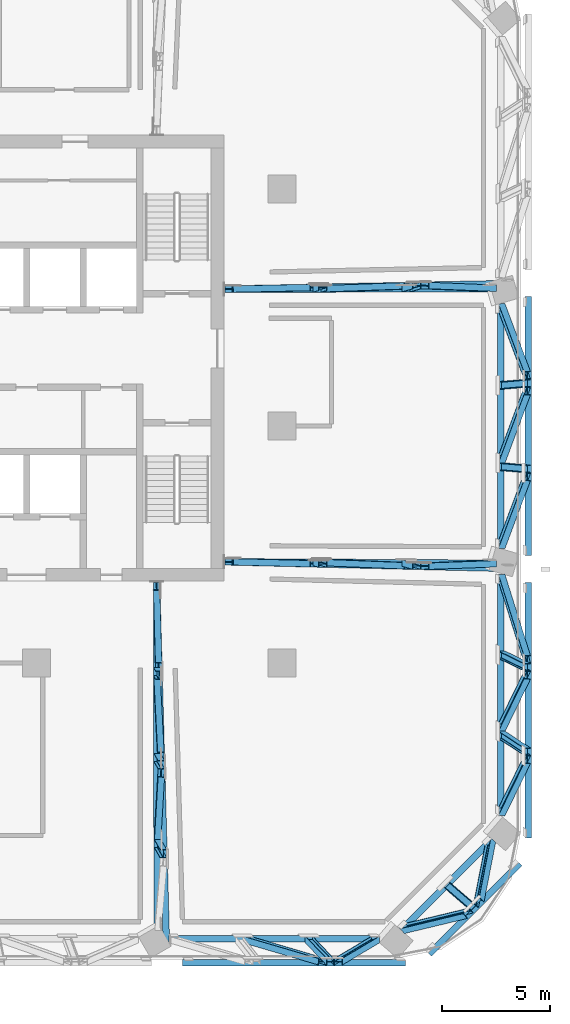
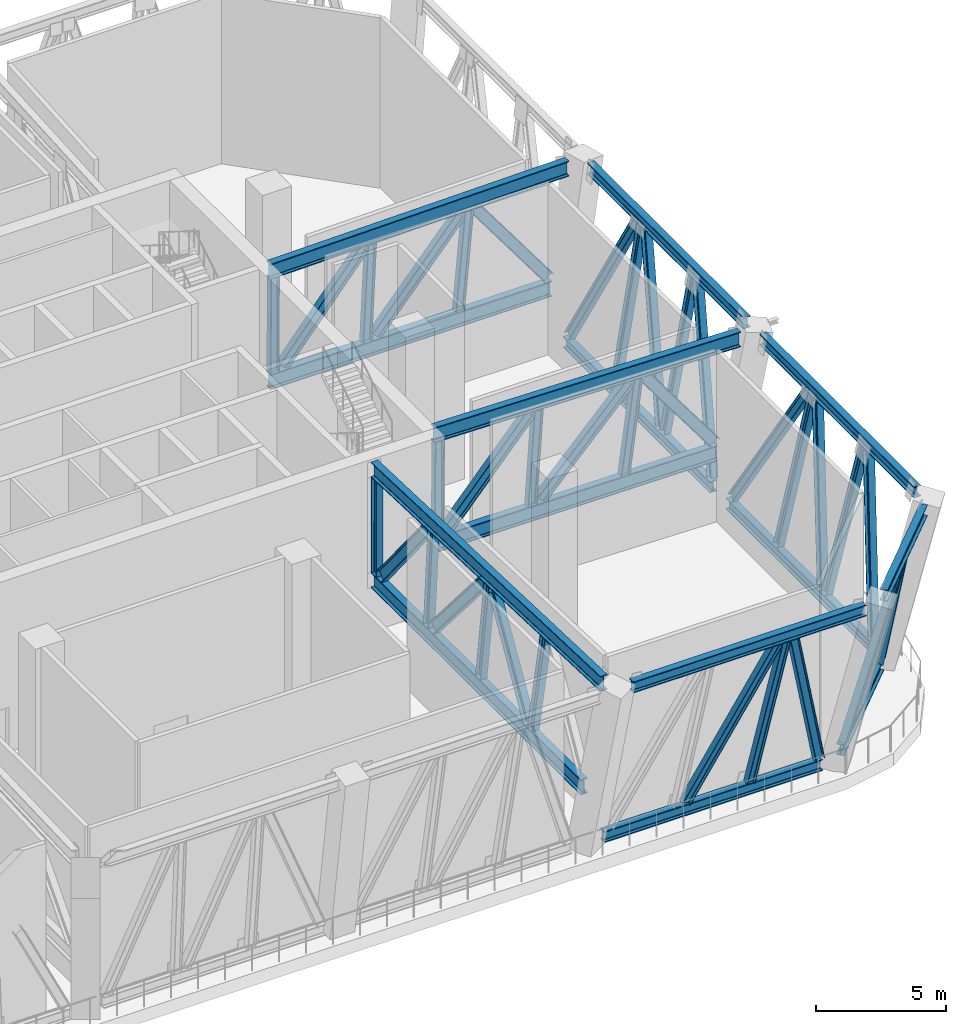
# One storey, part 3 of 24: 49 members.
"""IFC4 building model written with IfcOpenShell, lengths in metres."""

from ifc_helpers import new_model, si_unit, direction, frame, origin, origin_2d, place, context, subcontext, project, spatial, i_section, extrude, material, material_profile, profile_set, type_object, element, save


model = new_model("IFC4")

# Units and contexts
model_context = context("Model", 3, precision=1e-05, world=origin(), true_north=direction((0.0, 1.0)))
body_context = subcontext(model_context, "Body", "Model", "MODEL_VIEW")
ifc_project = project(units=[si_unit("LENGTHUNIT", "METRE"), si_unit("AREAUNIT", "SQUARE_METRE"), si_unit("VOLUMEUNIT", "CUBIC_METRE"), si_unit("PLANEANGLEUNIT", "RADIAN"), si_unit("MASSUNIT", "GRAM", prefix="KILO")], contexts=[model_context])

# Site, building, storey
site_placement = place(None, origin())
site = spatial("IfcSite", under=ifc_project, at=site_placement, CompositionType="ELEMENT")
building_placement = place(site_placement, origin())
building = spatial("IfcBuilding", under=site, at=building_placement, Name="Mopane Tessera Tower", CompositionType="ELEMENT")
storey_placement = place(building_placement, frame((0.0, 0.0, 259.0)))
storey = spatial("IfcBuildingStorey", under=building, at=storey_placement, Name="L56", CompositionType="ELEMENT", Elevation=259.0)

# Members
ifc_material_1 = material(Name="Structural steel S460", Category="steel")
ifc_material_profile_1 = material_profile(ifc_material_1, i_section(OverallWidth=0.305908203125, OverallDepth=0.52392578125, WebThickness=0.02099609375, FlangeThickness=0.0400390625, FilletRadius=0.027099609375, at=origin_2d()))
ifc_profile_set_1 = profile_set([ifc_material_profile_1], Name="Structural steel S460")
member_type_1 = type_object("IfcMemberType", Name="Belt truss chord HE 500 M", PredefinedType="CHORD", material=ifc_profile_set_1)
member_1_placement = place(storey_placement, frame((11.8466796875, -23.7890625, 0.261962890625), z_axis=(1.0, 0.0, 0.0), x_axis=(0.0, 1.0, 0.0)))
element("IfcMember", 1, at=member_1_placement, inside=storey, type_object=member_type_1, Name="Belt truss bottom chord L56 S3-S4", PredefinedType="CHORD", context=body_context, shape_type="SweptSolid", body=[
    extrude(i_section(OverallWidth=0.305908203125, OverallDepth=0.52392578125, WebThickness=0.02099609375, FlangeThickness=0.0400390625, FilletRadius=0.027099609375, at=origin_2d()), origin(), (0.0, 0.0, 1.0), 9.70751953125),
])
member_2_placement = place(storey_placement, frame((12.49169921875, -24.9013671875, 7.738037109375), z_axis=(1.0, 0.0, 0.0), x_axis=(0.0, 1.0, 0.0)))
element("IfcMember", 2, at=member_2_placement, inside=storey, type_object=member_type_1, Name="Belt truss top chord L56 S3-S4", PredefinedType="CHORD", context=body_context, shape_type="SweptSolid", body=[
    extrude(i_section(OverallWidth=0.305908203125, OverallDepth=0.52392578125, WebThickness=0.02099609375, FlangeThickness=0.0400390625, FilletRadius=0.027099609375, at=origin_2d()), origin(), (0.0, 0.0, 1.0), 10.352783203125),
])
member_3_placement = place(storey_placement, frame((22.642822265625, -23.391357421875, 0.261962890625), z_axis=(0.707106781187, 0.707106781187, 0.0), x_axis=(-0.707106781187, 0.707106781187, 0.0)))
element("IfcMember", 3, at=member_3_placement, inside=storey, type_object=member_type_1, Name="Belt truss bottom chord L56 S4-E0", PredefinedType="CHORD", context=body_context, shape_type="SweptSolid", body=[
    extrude(i_section(OverallWidth=0.305908203125, OverallDepth=0.52392578125, WebThickness=0.02099609375, FlangeThickness=0.0400390625, FilletRadius=0.027099609375, at=origin_2d()), origin(), (0.0, 0.0, 1.0), 5.946533203125),
])
member_4_placement = place(storey_placement, frame((23.933349609375, -24.50390625, 7.738037109375), z_axis=(0.707086252313, 0.707127309464, 0.0), x_axis=(-0.707127309464, 0.707086252313, 0.0)))
element("IfcMember", 4, at=member_4_placement, inside=storey, type_object=member_type_1, Name="Belt truss top chord L56 S4-E0", PredefinedType="CHORD", context=body_context, shape_type="SweptSolid", body=[
    extrude(i_section(OverallWidth=0.305908203125, OverallDepth=0.52392578125, WebThickness=0.02099609375, FlangeThickness=0.0400390625, FilletRadius=0.027099609375, at=origin_2d()), origin(), (0.0, 0.0, 1.0), 5.9462890625),
])
member_5_placement = place(storey_placement, frame((27.2451171875, -18.011962890625, 0.261962890625), z_axis=(0.0, 1.0, 0.0), x_axis=(-1.0, 0.0, 0.0)))
element("IfcMember", 5, at=member_5_placement, inside=storey, type_object=member_type_1, Name="Belt truss bottom chord L56 E0-E1", PredefinedType="CHORD", context=body_context, shape_type="SweptSolid", body=[
    extrude(i_section(OverallWidth=0.305908203125, OverallDepth=0.52392578125, WebThickness=0.02099609375, FlangeThickness=0.0400390625, FilletRadius=0.027099609375, at=origin_2d()), origin(), (0.0, 0.0, 1.0), 11.13330078125),
])
member_6_placement = place(storey_placement, frame((28.53564453125, -19.124267578125, 7.738037109375), z_axis=(0.0, 1.0, 0.0), x_axis=(-1.0, 0.0, 0.0)))
element("IfcMember", 6, at=member_6_placement, inside=storey, type_object=member_type_1, Name="Belt truss top chord L56 E0-E1", PredefinedType="CHORD", context=body_context, shape_type="SweptSolid", body=[
    extrude(i_section(OverallWidth=0.305908203125, OverallDepth=0.52392578125, WebThickness=0.02099609375, FlangeThickness=0.0400390625, FilletRadius=0.027099609375, at=origin_2d()), origin(), (0.0, 0.0, 1.0), 11.874755859375),
])
member_7_placement = place(storey_placement, frame((27.2451171875, -5.647216796875, 0.261962890625), z_axis=(0.0, 1.0, 0.0), x_axis=(-1.0, 0.0, 0.0)))
element("IfcMember", 7, at=member_7_placement, inside=storey, type_object=member_type_1, Name="Belt truss bottom chord L56 E1-E2", PredefinedType="CHORD", context=body_context, shape_type="SweptSolid", body=[
    extrude(i_section(OverallWidth=0.305908203125, OverallDepth=0.52392578125, WebThickness=0.02099609375, FlangeThickness=0.0400390625, FilletRadius=0.027099609375, at=origin_2d()), origin(), (0.0, 0.0, 1.0), 11.29443359375),
])
member_8_placement = place(storey_placement, frame((28.53564453125, -6.01806640625, 7.738037109375), z_axis=(0.0, 1.0, 0.0), x_axis=(-1.0, 0.0, 0.0)))
element("IfcMember", 8, at=member_8_placement, inside=storey, type_object=member_type_1, Name="Belt truss top chord L56 E1-E2", PredefinedType="CHORD", context=body_context, shape_type="SweptSolid", body=[
    extrude(i_section(OverallWidth=0.305908203125, OverallDepth=0.52392578125, WebThickness=0.02099609375, FlangeThickness=0.0400390625, FilletRadius=0.027099609375, at=origin_2d()), origin(), (0.0, 0.0, 1.0), 12.0361328125),
])
ifc_material_2 = material(Name="Structural steel S460", Category="steel")
ifc_material_profile_2 = material_profile(ifc_material_2, i_section(OverallWidth=0.300048828125, OverallDepth=0.39990234375, WebThickness=0.013427734375, FlangeThickness=0.02392578125, FilletRadius=0.027099609375, at=origin_2d()))
ifc_profile_set_2 = profile_set([ifc_material_profile_2], Name="Structural steel S460")
member_type_2 = type_object("IfcMemberType", Name="Belt truss diagonal HE 400 B", PredefinedType="BRACE", material=ifc_profile_set_2)
member_9_placement = place(storey_placement, frame((15.471435546875, -23.83251953125, 0.554931640625), z_axis=(0.448355915873, -0.131574542109, 0.884118268429), x_axis=(0.059511112714, 0.991306279545, 0.117346868717)))
element("IfcMember", 9, at=member_9_placement, inside=storey, type_object=member_type_2, Name="Belt truss diagonal 1 L56 S3-S4", PredefinedType="BRACE", context=body_context, shape_type="SweptSolid", body=[
    extrude(i_section(OverallWidth=0.300048828125, OverallDepth=0.39990234375, WebThickness=0.013427734375, FlangeThickness=0.02392578125, FilletRadius=0.027099609375, at=origin_2d()), origin(), (0.0, 0.0, 1.0), 7.793212890625),
])
member_10_placement = place(storey_placement, frame((19.70947265625, -24.857177734375, 7.4404296875), z_axis=(0.240368104907, 0.142871858274, -0.960109788648), x_axis=(-0.034683429233, 0.989741194403, 0.138598080211)))
element("IfcMember", 10, at=member_10_placement, inside=storey, type_object=member_type_2, Name="Belt truss diagonal 2 L56 S3-S4", PredefinedType="BRACE", context=body_context, shape_type="SweptSolid", body=[
    extrude(i_section(OverallWidth=0.300048828125, OverallDepth=0.39990234375, WebThickness=0.013427734375, FlangeThickness=0.02392578125, FilletRadius=0.027099609375, at=origin_2d()), origin(), (0.0, 0.0, 1.0), 7.166748046875),
])
member_11_placement = place(storey_placement, frame((22.81689453125, -23.310791015625, 0.552490234375), z_axis=(0.387981452235, 0.093277883872, 0.916934909959), x_axis=(-0.640323134675, 0.742843451968, 0.195371157208)))
element("IfcMember", 11, at=member_11_placement, inside=storey, type_object=member_type_2, Name="Belt truss diagonal 0 L56 S4-E0", PredefinedType="BRACE", context=body_context, shape_type="SweptSolid", body=[
    extrude(i_section(OverallWidth=0.300048828125, OverallDepth=0.39990234375, WebThickness=0.013427734375, FlangeThickness=0.02392578125, FilletRadius=0.027099609375, at=origin_2d()), origin(), (0.0, 0.0, 1.0), 7.51953125),
])
member_12_placement = place(storey_placement, frame((26.236572265625, -22.107177734375, 7.447509765625), z_axis=(0.072187286105, 0.369890146613, -0.926266848788), x_axis=(-0.738836798627, 0.64368734393, 0.199466258447)))
element("IfcMember", 12, at=member_12_placement, inside=storey, type_object=member_type_2, Name="Belt truss diagonal 1 L56 S4-E0", PredefinedType="BRACE", context=body_context, shape_type="SweptSolid", body=[
    extrude(i_section(OverallWidth=0.300048828125, OverallDepth=0.39990234375, WebThickness=0.013427734375, FlangeThickness=0.02392578125, FilletRadius=0.027099609375, at=origin_2d()), origin(), (0.0, 0.0, 1.0), 7.44384765625),
])
member_13_placement = place(storey_placement, frame((27.298583984375, -17.891357421875, 0.572021484375), z_axis=(0.160713742004, 0.327924986779, 0.930933024539), x_axis=(-0.987001059242, 0.053440823985, 0.151568424768)))
element("IfcMember", 13, at=member_13_placement, inside=storey, type_object=member_type_2, Name="Belt truss diagonal 0 L56 E0-E1", PredefinedType="BRACE", context=body_context, shape_type="SweptSolid", body=[
    extrude(i_section(OverallWidth=0.300048828125, OverallDepth=0.39990234375, WebThickness=0.013427734375, FlangeThickness=0.02392578125, FilletRadius=0.027099609375, at=origin_2d()), origin(), (0.0, 0.0, 1.0), 7.364501953125),
])
member_14_placement = place(storey_placement, frame((27.2978515625, -13.987548828125, 0.5673828125), z_axis=(0.160614223965, 0.329302174886, 0.930463942706), x_axis=(-0.98701725975, 0.053582615733, 0.151412787591)))
element("IfcMember", 14, at=member_14_placement, inside=storey, type_object=member_type_2, Name="Belt truss diagonal 1 L56 E0-E1", PredefinedType="BRACE", context=body_context, shape_type="SweptSolid", body=[
    extrude(i_section(OverallWidth=0.300048828125, OverallDepth=0.39990234375, WebThickness=0.013427734375, FlangeThickness=0.02392578125, FilletRadius=0.027099609375, at=origin_2d()), origin(), (0.0, 0.0, 1.0), 7.378173828125),
])
member_15_placement = place(storey_placement, frame((28.482177734375, -10.8271484375, 7.427978515625), z_axis=(-0.149601424619, 0.476113939861, -0.86656501777), x_axis=(-0.988746384813, -0.072052618146, 0.131106852368)))
element("IfcMember", 15, at=member_15_placement, inside=storey, type_object=member_type_2, Name="Belt truss diagonal 2 L56 E0-E1", PredefinedType="BRACE", context=body_context, shape_type="SweptSolid", body=[
    extrude(i_section(OverallWidth=0.300048828125, OverallDepth=0.39990234375, WebThickness=0.013427734375, FlangeThickness=0.02392578125, FilletRadius=0.027099609375, at=origin_2d()), origin(), (0.0, 0.0, 1.0), 7.91162109375),
])
member_16_placement = place(storey_placement, frame((27.298828125, -5.497314453125, 0.5732421875), z_axis=(0.155000249339, 0.412033267021, 0.89788836142), x_axis=(-0.987914430128, 0.064681572715, 0.140859408261)))
element("IfcMember", 16, at=member_16_placement, inside=storey, type_object=member_type_2, Name="Belt truss diagonal 0 L56 E1-E2", PredefinedType="BRACE", context=body_context, shape_type="SweptSolid", body=[
    extrude(i_section(OverallWidth=0.300048828125, OverallDepth=0.39990234375, WebThickness=0.013427734375, FlangeThickness=0.02392578125, FilletRadius=0.027099609375, at=origin_2d()), origin(), (0.0, 0.0, 1.0), 7.6328125),
])
member_17_placement = place(storey_placement, frame((27.298095703125, -1.5400390625, 0.56884765625), z_axis=(0.15487208071, 0.413609320248, 0.897185582152), x_axis=(-0.987934531433, 0.064825251445, 0.140652224928)))
element("IfcMember", 17, at=member_17_placement, inside=storey, type_object=member_type_2, Name="Belt truss diagonal 1 L56 E1-E2", PredefinedType="BRACE", context=body_context, shape_type="SweptSolid", body=[
    extrude(i_section(OverallWidth=0.300048828125, OverallDepth=0.39990234375, WebThickness=0.013427734375, FlangeThickness=0.02392578125, FilletRadius=0.027099609375, at=origin_2d()), origin(), (0.0, 0.0, 1.0), 7.648681640625),
])
member_18_placement = place(storey_placement, frame((28.48193359375, 2.352294921875, 7.4267578125), z_axis=(-0.155000249339, 0.412033267021, -0.89788836142), x_axis=(-0.987914430128, -0.064681572715, 0.140859408261)))
element("IfcMember", 18, at=member_18_placement, inside=storey, type_object=member_type_2, Name="Belt truss diagonal 2 L56 E1-E2", PredefinedType="BRACE", context=body_context, shape_type="SweptSolid", body=[
    extrude(i_section(OverallWidth=0.300048828125, OverallDepth=0.39990234375, WebThickness=0.013427734375, FlangeThickness=0.02392578125, FilletRadius=0.027099609375, at=origin_2d()), origin(), (0.0, 0.0, 1.0), 7.6328125),
])
ifc_material_3 = material(Name="Structural steel S460", Category="steel")
ifc_material_profile_3 = material_profile(ifc_material_3, i_section(OverallWidth=0.300048828125, OverallDepth=0.360107421875, WebThickness=0.012451171875, FlangeThickness=0.0224609375, FilletRadius=0.027099609375, at=origin_2d()))
ifc_profile_set_3 = profile_set([ifc_material_profile_3], Name="Structural steel S460")
member_type_3 = type_object("IfcMemberType", Name="Belt truss post HE 360 B", PredefinedType="POST", material=ifc_profile_set_3)
member_19_placement = place(storey_placement, frame((18.35546875, -23.827880859375, 0.52392578125), z_axis=(0.139236524581, -0.145771835764, 0.979471164517), x_axis=(0.020509231245, 0.989318235884, 0.144321861062)))
element("IfcMember", 19, at=member_19_placement, inside=storey, type_object=member_type_3, Name="Belt truss post 2 L56 S3-S4", PredefinedType="POST", context=body_context, shape_type="SweptSolid", body=[
    extrude(i_section(OverallWidth=0.300048828125, OverallDepth=0.360107421875, WebThickness=0.012451171875, FlangeThickness=0.0224609375, FilletRadius=0.027099609375, at=origin_2d()), origin(), (0.0, 0.0, 1.0), 7.097900390625),
])
member_20_placement = place(storey_placement, frame((24.790283203125, -21.327880859375, 0.52392578125), z_axis=(0.168319620267, -0.14510548224, 0.974993797138), x_axis=(-0.686891024749, 0.692153827659, 0.221593770167)))
element("IfcMember", 20, at=member_20_placement, inside=storey, type_object=member_type_3, Name="Belt truss post 1 L56 S4-E0", PredefinedType="POST", context=body_context, shape_type="SweptSolid", body=[
    extrude(i_section(OverallWidth=0.300048828125, OverallDepth=0.360107421875, WebThickness=0.012451171875, FlangeThickness=0.0224609375, FilletRadius=0.027099609375, at=origin_2d()), origin(), (0.0, 0.0, 1.0), 7.13037109375),
])
member_21_placement = place(storey_placement, frame((27.290283203125, -14.33056640625, 0.52392578125), z_axis=(0.169070502706, -0.110913826531, 0.979343294355), x_axis=(-0.985603952965, -0.019141168536, 0.167983521711)))
element("IfcMember", 21, at=member_21_placement, inside=storey, type_object=member_type_3, Name="Belt truss post 1 L56 E0-E1", PredefinedType="POST", context=body_context, shape_type="SweptSolid", body=[
    extrude(i_section(OverallWidth=0.300048828125, OverallDepth=0.360107421875, WebThickness=0.012451171875, FlangeThickness=0.0224609375, FilletRadius=0.027099609375, at=origin_2d()), origin(), (0.0, 0.0, 1.0), 7.098876953125),
])
member_22_placement = place(storey_placement, frame((27.290283203125, -10.61181640625, 0.52392578125), z_axis=(0.169542223382, -0.082356962863, 0.982075743086), x_axis=(-0.985522915206, -0.014304111969, 0.168937787322)))
element("IfcMember", 22, at=member_22_placement, inside=storey, type_object=member_type_3, Name="Belt truss post 2 L56 E0-E1", PredefinedType="POST", context=body_context, shape_type="SweptSolid", body=[
    extrude(i_section(OverallWidth=0.300048828125, OverallDepth=0.360107421875, WebThickness=0.012451171875, FlangeThickness=0.0224609375, FilletRadius=0.027099609375, at=origin_2d()), origin(), (0.0, 0.0, 1.0), 7.0791015625),
])
for number, where, z_axis, x_axis, name in (
    (23, (27.290283203125, -1.88623046875, 0.52392578125), (0.170101743436, -0.01470570402, 0.985316770967), (-0.985426502995, -0.002473687566, 0.170083767787), "Belt truss post 1 L56 E1-E2"),
    (24, (27.290283203125, 1.88623046875, 0.52392578125), (0.170101743436, 0.01470570402, 0.985316770967), (-0.985426502995, 0.002473687566, 0.170083767787), "Belt truss post 2 L56 E1-E2"),
):
    element("IfcMember", number, at=place(storey_placement, frame(where, z_axis=z_axis, x_axis=x_axis)), inside=storey, type_object=member_type_3, Name=name, PredefinedType="POST", context=body_context, shape_type="SweptSolid", body=[
        extrude(i_section(OverallWidth=0.300048828125, OverallDepth=0.360107421875, WebThickness=0.012451171875, FlangeThickness=0.0224609375, FilletRadius=0.027099609375, at=origin_2d()), origin(), (0.0, 0.0, 1.0), 7.0556640625),
    ])
ifc_material_4 = material(Name="Structural steel S460", Category="steel")
ifc_material_profile_4 = material_profile(ifc_material_4, i_section(OverallWidth=0.303955078125, OverallDepth=0.716064453125, WebThickness=0.02099609375, FlangeThickness=0.0400390625, FilletRadius=0.027099609375, at=origin_2d()))
ifc_profile_set_4 = profile_set([ifc_material_profile_4], Name="Structural steel S460")
member_type_4 = type_object("IfcMemberType", Name="Outrigger truss chord HE 700 M", PredefinedType="CHORD", material=ifc_profile_set_4)
member_23_placement = place(storey_placement, frame((14.415283203125, -6.300048828125, 2.4580078125), z_axis=(0.999985199047, -0.0054407432, 0.0), x_axis=(0.0054407432, 0.999985199047, 0.0)))
element("IfcMember", 25, at=member_23_placement, inside=storey, type_object=member_type_4, Name="Outrigger truss bottom chord L56 E1", PredefinedType="CHORD", context=body_context, shape_type="SweptSolid", body=[
    extrude(i_section(OverallWidth=0.303955078125, OverallDepth=0.716064453125, WebThickness=0.02099609375, FlangeThickness=0.0400390625, FilletRadius=0.027099609375, at=origin_2d()), origin(), (0.0, 0.0, 1.0), 12.51953125),
])
member_24_placement = place(storey_placement, frame((14.415283203125, -6.30029296875, 7.64208984375), z_axis=(0.999728472571, -0.023301955519, 0.0), x_axis=(0.023301955519, 0.999728472571, 0.0)))
element("IfcMember", 26, at=member_24_placement, inside=storey, type_object=member_type_4, Name="Outrigger truss top chord L56 E1", PredefinedType="CHORD", context=body_context, shape_type="SweptSolid", body=[
    extrude(i_section(OverallWidth=0.303955078125, OverallDepth=0.716064453125, WebThickness=0.02099609375, FlangeThickness=0.0400390625, FilletRadius=0.027099609375, at=origin_2d()), origin(), (0.0, 0.0, 1.0), 13.42138671875),
])
member_25_placement = place(storey_placement, frame((14.414794921875, 6.354248046875, 2.4580078125), z_axis=(0.999999094567, 0.001345683813, 0.0), x_axis=(-0.001345683813, 0.999999094567, 0.0)))
element("IfcMember", 27, at=member_25_placement, inside=storey, type_object=member_type_4, Name="Outrigger truss bottom chord L56 E2", PredefinedType="CHORD", context=body_context, shape_type="SweptSolid", body=[
    extrude(i_section(OverallWidth=0.303955078125, OverallDepth=0.716064453125, WebThickness=0.02099609375, FlangeThickness=0.0400390625, FilletRadius=0.027099609375, at=origin_2d()), origin(), (0.0, 0.0, 1.0), 12.518310546875),
])
member_26_placement = place(storey_placement, frame((14.414794921875, 6.3544921875, 7.64208984375), z_axis=(0.999810504162, 0.01946678627, 0.0), x_axis=(-0.01946678627, 0.999810504162, 0.0)))
element("IfcMember", 28, at=member_26_placement, inside=storey, type_object=member_type_4, Name="Outrigger truss top chord L56 E2", PredefinedType="CHORD", context=body_context, shape_type="SweptSolid", body=[
    extrude(i_section(OverallWidth=0.303955078125, OverallDepth=0.716064453125, WebThickness=0.02099609375, FlangeThickness=0.0400390625, FilletRadius=0.027099609375, at=origin_2d()), origin(), (0.0, 0.0, 1.0), 13.419189453125),
])
member_27_placement = place(storey_placement, frame((11.28125, -7.21484375, 2.4580078125), z_axis=(0.001835054085, -0.999998316287, 0.0), x_axis=(0.999998316287, 0.001835054085, 0.0)))
element("IfcMember", 29, at=member_27_placement, inside=storey, type_object=member_type_4, Name="Outrigger truss bottom chord L56 S3", PredefinedType="CHORD", context=body_context, shape_type="SweptSolid", body=[
    extrude(i_section(OverallWidth=0.303955078125, OverallDepth=0.716064453125, WebThickness=0.02099609375, FlangeThickness=0.0400390625, FilletRadius=0.027099609375, at=origin_2d()), origin(), (0.0, 0.0, 1.0), 16.09814453125),
])
member_28_placement = place(storey_placement, frame((11.28173828125, -7.21484375, 7.64208984375), z_axis=(0.027020284922, -0.999634885447, 0.0), x_axis=(0.999634885447, 0.027020284922, 0.0)))
element("IfcMember", 30, at=member_28_placement, inside=storey, type_object=member_type_4, Name="Outrigger truss top chord L56 S3", PredefinedType="CHORD", context=body_context, shape_type="SweptSolid", body=[
    extrude(i_section(OverallWidth=0.303955078125, OverallDepth=0.716064453125, WebThickness=0.02099609375, FlangeThickness=0.0400390625, FilletRadius=0.027099609375, at=origin_2d()), origin(), (0.0, 0.0, 1.0), 16.88720703125),
])
ifc_material_5 = material(Name="Structural steel S460", Category="steel")
ifc_material_profile_5 = material_profile(ifc_material_5, i_section(OverallWidth=0.300048828125, OverallDepth=0.5, WebThickness=0.014404296875, FlangeThickness=0.028076171875, FilletRadius=0.027099609375, at=origin_2d()))
ifc_profile_set_5 = profile_set([ifc_material_profile_5], Name="Structural steel S460")
member_type_5 = type_object("IfcMemberType", Name="Outrigger truss diagonal HE 500 B", PredefinedType="BRACE", material=ifc_profile_set_5)
member_29_placement = place(storey_placement, frame((14.989501953125, -6.30419921875, 2.940185546875), z_axis=(0.649395612359, -0.015659746528, 0.760289491567), x_axis=(0.013310752337, 0.999868852077, 0.009225102672)))
element("IfcMember", 31, at=member_29_placement, inside=storey, type_object=member_type_5, Name="Outrigger truss diagonal 0 L56 E1", PredefinedType="BRACE", context=body_context, shape_type="SweptSolid", body=[
    extrude(i_section(OverallWidth=0.300048828125, OverallDepth=0.5, WebThickness=0.014404296875, FlangeThickness=0.028076171875, FilletRadius=0.027099609375, at=origin_2d()), origin(), (0.0, 0.0, 1.0), 5.550048828125),
])
member_30_placement = place(storey_placement, frame((19.121826171875, -6.333984375, 2.940185546875), z_axis=(0.671876819499, -0.026679792119, 0.740182226288), x_axis=(0.020936535323, 0.999635800003, 0.017027296964)))
element("IfcMember", 32, at=member_30_placement, inside=storey, type_object=member_type_5, Name="Outrigger truss diagonal 1 L56 E1", PredefinedType="BRACE", context=body_context, shape_type="SweptSolid", body=[
    extrude(i_section(OverallWidth=0.300048828125, OverallDepth=0.5, WebThickness=0.014404296875, FlangeThickness=0.028076171875, FilletRadius=0.027099609375, at=origin_2d()), origin(), (0.0, 0.0, 1.0), 5.700927734375),
])
member_31_placement = place(storey_placement, frame((23.7314453125, -6.502685546875, 7.153076171875), z_axis=(0.59534587032, 0.021538746444, -0.803180787304), x_axis=(-0.009328879306, 0.999758542568, 0.019895441022)))
element("IfcMember", 33, at=member_31_placement, inside=storey, type_object=member_type_5, Name="Outrigger truss diagonal 2 L56 E1", PredefinedType="BRACE", context=body_context, shape_type="SweptSolid", body=[
    extrude(i_section(OverallWidth=0.300048828125, OverallDepth=0.5, WebThickness=0.014404296875, FlangeThickness=0.028076171875, FilletRadius=0.027099609375, at=origin_2d()), origin(), (0.0, 0.0, 1.0), 5.23681640625),
])
member_32_placement = place(storey_placement, frame((14.98876953125, 6.35595703125, 2.940185546875), z_axis=(0.649393255527, 0.013197261662, 0.760338235235), x_axis=(-0.009362805159, 0.999912370188, -0.009358943607)))
element("IfcMember", 34, at=member_32_placement, inside=storey, type_object=member_type_5, Name="Outrigger truss diagonal 0 L56 E2", PredefinedType="BRACE", context=body_context, shape_type="SweptSolid", body=[
    extrude(i_section(OverallWidth=0.300048828125, OverallDepth=0.5, WebThickness=0.014404296875, FlangeThickness=0.028076171875, FilletRadius=0.027099609375, at=origin_2d()), origin(), (0.0, 0.0, 1.0), 5.5498046875),
])
member_33_placement = place(storey_placement, frame((19.120849609375, 6.368896484375, 2.940185546875), z_axis=(0.671895085158, 0.024240987902, 0.740249531608), x_axis=(-0.017033649707, 0.999705642869, -0.01727664298)))
element("IfcMember", 35, at=member_33_placement, inside=storey, type_object=member_type_5, Name="Outrigger truss diagonal 1 L56 E2", PredefinedType="BRACE", context=body_context, shape_type="SweptSolid", body=[
    extrude(i_section(OverallWidth=0.300048828125, OverallDepth=0.5, WebThickness=0.014404296875, FlangeThickness=0.028076171875, FilletRadius=0.027099609375, at=origin_2d()), origin(), (0.0, 0.0, 1.0), 5.700439453125),
])
member_34_placement = place(storey_placement, frame((23.730224609375, 6.520751953125, 7.153076171875), z_axis=(0.595278252475, -0.024288508853, -0.803152457799), x_axis=(0.013561629314, 0.999704361891, -0.020180957037)))
element("IfcMember", 36, at=member_34_placement, inside=storey, type_object=member_type_5, Name="Outrigger truss diagonal 2 L56 E2", PredefinedType="BRACE", context=body_context, shape_type="SweptSolid", body=[
    extrude(i_section(OverallWidth=0.300048828125, OverallDepth=0.5, WebThickness=0.014404296875, FlangeThickness=0.028076171875, FilletRadius=0.027099609375, at=origin_2d()), origin(), (0.0, 0.0, 1.0), 5.23681640625),
])
member_35_placement = place(storey_placement, frame((11.283935546875, -7.791748046875, 2.935302734375), z_axis=(0.017716543974, -0.62431658396, 0.780970503324), x_axis=(0.999842066409, 0.012157918082, -0.012962533167)))
element("IfcMember", 37, at=member_35_placement, inside=storey, type_object=member_type_5, Name="Outrigger truss diagonal 0 L56 S3", PredefinedType="BRACE", context=body_context, shape_type="SweptSolid", body=[
    extrude(i_section(OverallWidth=0.300048828125, OverallDepth=0.5, WebThickness=0.014404296875, FlangeThickness=0.028076171875, FilletRadius=0.027099609375, at=origin_2d()), origin(), (0.0, 0.0, 1.0), 5.415771484375),
])
member_36_placement = place(storey_placement, frame((11.30078125, -11.782958984375, 2.935302734375), z_axis=(0.033001353459, -0.64031485134, 0.767403284996), x_axis=(0.999454300637, 0.022232355639, -0.024429967283)))
element("IfcMember", 38, at=member_36_placement, inside=storey, type_object=member_type_5, Name="Outrigger truss diagonal 1 L56 S3", PredefinedType="BRACE", context=body_context, shape_type="SweptSolid", body=[
    extrude(i_section(OverallWidth=0.300048828125, OverallDepth=0.5, WebThickness=0.014404296875, FlangeThickness=0.028076171875, FilletRadius=0.027099609375, at=origin_2d()), origin(), (0.0, 0.0, 1.0), 5.511474609375),
])
member_37_placement = place(storey_placement, frame((11.501953125, -16.092041015625, 7.164794921875), z_axis=(-0.033133326059, -0.568013437859, -0.82235206397), x_axis=(0.999449785976, -0.017579788269, -0.028126079669)))
element("IfcMember", 39, at=member_37_placement, inside=storey, type_object=member_type_5, Name="Outrigger truss diagonal 2 L56 S3", PredefinedType="BRACE", context=body_context, shape_type="SweptSolid", body=[
    extrude(i_section(OverallWidth=0.300048828125, OverallDepth=0.5, WebThickness=0.014404296875, FlangeThickness=0.028076171875, FilletRadius=0.027099609375, at=origin_2d()), origin(), (0.0, 0.0, 1.0), 5.14306640625),
])
ifc_material_6 = material(Name="Structural steel S460", Category="steel")
ifc_material_profile_6 = material_profile(ifc_material_6, i_section(OverallWidth=0.300048828125, OverallDepth=0.39990234375, WebThickness=0.013427734375, FlangeThickness=0.02392578125, FilletRadius=0.027099609375, at=origin_2d()))
ifc_profile_set_6 = profile_set([ifc_material_profile_6], Name="Structural steel S460")
member_type_6 = type_object("IfcMemberType", Name="Outrigger truss post HE 400 B", PredefinedType="POST", material=ifc_profile_set_6)
member_38_placement = place(storey_placement, frame((14.6162109375, -6.301513671875, 2.81591796875), z_axis=(0.002841362364, -0.000819623759, 0.999995627429), x_axis=(0.006402637012, 0.999979181768, 0.000801417988)))
element("IfcMember", 40, at=member_38_placement, inside=storey, type_object=member_type_6, Name="Outrigger truss post 0 L56 E1", PredefinedType="POST", context=body_context, shape_type="SweptSolid", body=[
    extrude(i_section(OverallWidth=0.300048828125, OverallDepth=0.39990234375, WebThickness=0.013427734375, FlangeThickness=0.02392578125, FilletRadius=0.027099609375, at=origin_2d()), origin(), (0.0, 0.0, 1.0), 4.468017578125),
])
member_39_placement = place(storey_placement, frame((18.741943359375, -6.329345703125, 2.81591796875), z_axis=(0.056293528373, -0.016200753805, 0.998282812754), x_axis=(0.006675722325, 0.999852098748, 0.01584977476)))
element("IfcMember", 41, at=member_39_placement, inside=storey, type_object=member_type_6, Name="Outrigger truss post 1 L56 E1", PredefinedType="POST", context=body_context, shape_type="SweptSolid", body=[
    extrude(i_section(OverallWidth=0.300048828125, OverallDepth=0.39990234375, WebThickness=0.013427734375, FlangeThickness=0.02392578125, FilletRadius=0.027099609375, at=origin_2d()), origin(), (0.0, 0.0, 1.0), 4.4755859375),
])
member_40_placement = place(storey_placement, frame((22.86767578125, -6.357177734375, 2.81591796875), z_axis=(0.109280551584, -0.031432409025, 0.993513847266), x_axis=(0.009005191597, 0.999490195166, 0.030630969473)))
element("IfcMember", 42, at=member_40_placement, inside=storey, type_object=member_type_6, Name="Outrigger truss post 2 L56 E1", PredefinedType="POST", context=body_context, shape_type="SweptSolid", body=[
    extrude(i_section(OverallWidth=0.300048828125, OverallDepth=0.39990234375, WebThickness=0.013427734375, FlangeThickness=0.02392578125, FilletRadius=0.027099609375, at=origin_2d()), origin(), (0.0, 0.0, 1.0), 4.4970703125),
])
member_41_placement = place(storey_placement, frame((14.61572265625, 6.354736328125, 2.81591796875), z_axis=(0.002786721209, 0.000819623885, 0.999995781192), x_axis=(-0.007518809235, 0.999971414424, -0.000798651)))
element("IfcMember", 43, at=member_41_placement, inside=storey, type_object=member_type_6, Name="Outrigger truss post 0 L56 E2", PredefinedType="POST", context=body_context, shape_type="SweptSolid", body=[
    extrude(i_section(OverallWidth=0.300048828125, OverallDepth=0.39990234375, WebThickness=0.013427734375, FlangeThickness=0.02392578125, FilletRadius=0.027099609375, at=origin_2d()), origin(), (0.0, 0.0, 1.0), 4.468017578125),
])
member_42_placement = place(storey_placement, frame((18.740966796875, 6.36572265625, 2.81591796875), z_axis=(0.056347903255, 0.016200704034, 0.998279745857), x_axis=(-0.002334096558, 0.999867747132, -0.016094727018)))
element("IfcMember", 44, at=member_42_placement, inside=storey, type_object=member_type_6, Name="Outrigger truss post 1 L56 E2", PredefinedType="POST", context=body_context, shape_type="SweptSolid", body=[
    extrude(i_section(OverallWidth=0.300048828125, OverallDepth=0.39990234375, WebThickness=0.013427734375, FlangeThickness=0.02392578125, FilletRadius=0.027099609375, at=origin_2d()), origin(), (0.0, 0.0, 1.0), 4.475830078125),
])
member_43_placement = place(storey_placement, frame((22.866455078125, 6.376708984375, 2.81591796875), z_axis=(0.109280551584, 0.031432409025, 0.993513847266), x_axis=(-0.004954392617, 0.999504714616, -0.031076992373)))
element("IfcMember", 45, at=member_43_placement, inside=storey, type_object=member_type_6, Name="Outrigger truss post 2 L56 E2", PredefinedType="POST", context=body_context, shape_type="SweptSolid", body=[
    extrude(i_section(OverallWidth=0.300048828125, OverallDepth=0.39990234375, WebThickness=0.013427734375, FlangeThickness=0.02392578125, FilletRadius=0.027099609375, at=origin_2d()), origin(), (0.0, 0.0, 1.0), 4.4970703125),
])
member_44_placement = place(storey_placement, frame((11.281982421875, -7.41552734375, 2.81591796875), z_axis=(0.001147475544, -0.001857817548, 0.999997615904), x_axis=(0.99956056089, 0.029622504613, -0.001091940693)))
element("IfcMember", 46, at=member_44_placement, inside=storey, type_object=member_type_6, Name="Outrigger truss post 0 L56 S3", PredefinedType="POST", context=body_context, shape_type="SweptSolid", body=[
    extrude(i_section(OverallWidth=0.300048828125, OverallDepth=0.39990234375, WebThickness=0.013427734375, FlangeThickness=0.02392578125, FilletRadius=0.027099609375, at=origin_2d()), origin(), (0.0, 0.0, 1.0), 4.468017578125),
])
member_45_placement = place(storey_placement, frame((11.296630859375, -11.402587890625, 2.81591796875), z_axis=(0.021345613765, -0.036795252373, 0.999094827419), x_axis=(0.999770151639, 0.00278685937, -0.021257405938)))
element("IfcMember", 47, at=member_45_placement, inside=storey, type_object=member_type_6, Name="Outrigger truss post 1 L56 S3", PredefinedType="POST", context=body_context, shape_type="SweptSolid", body=[
    extrude(i_section(OverallWidth=0.300048828125, OverallDepth=0.39990234375, WebThickness=0.013427734375, FlangeThickness=0.02392578125, FilletRadius=0.027099609375, at=origin_2d()), origin(), (0.0, 0.0, 1.0), 4.47216796875),
])
member_46_placement = place(storey_placement, frame((11.31103515625, -15.3896484375, 2.81591796875), z_axis=(0.041548751814, -0.071553158433, 0.996571044503), x_axis=(0.999133574091, 0.005380202988, -0.041269292951)))
element("IfcMember", 48, at=member_46_placement, inside=storey, type_object=member_type_6, Name="Outrigger truss post 2 L56 S3", PredefinedType="POST", context=body_context, shape_type="SweptSolid", body=[
    extrude(i_section(OverallWidth=0.300048828125, OverallDepth=0.39990234375, WebThickness=0.013427734375, FlangeThickness=0.02392578125, FilletRadius=0.027099609375, at=origin_2d()), origin(), (0.0, 0.0, 1.0), 4.4833984375),
])
member_47_placement = place(storey_placement, frame((11.32568359375, -19.376708984375, 2.81591796875), z_axis=(0.06144298554, -0.105966102159, 0.992469619042), x_axis=(0.998109003212, 0.008298949273, -0.060906035395)))
element("IfcMember", 49, at=member_47_placement, inside=storey, type_object=member_type_6, Name="Outrigger truss post 3 L56 S3", PredefinedType="POST", context=body_context, shape_type="SweptSolid", body=[
    extrude(i_section(OverallWidth=0.300048828125, OverallDepth=0.39990234375, WebThickness=0.013427734375, FlangeThickness=0.02392578125, FilletRadius=0.027099609375, at=origin_2d()), origin(), (0.0, 0.0, 1.0), 4.501953125),
])

save(model, "model.ifc")
